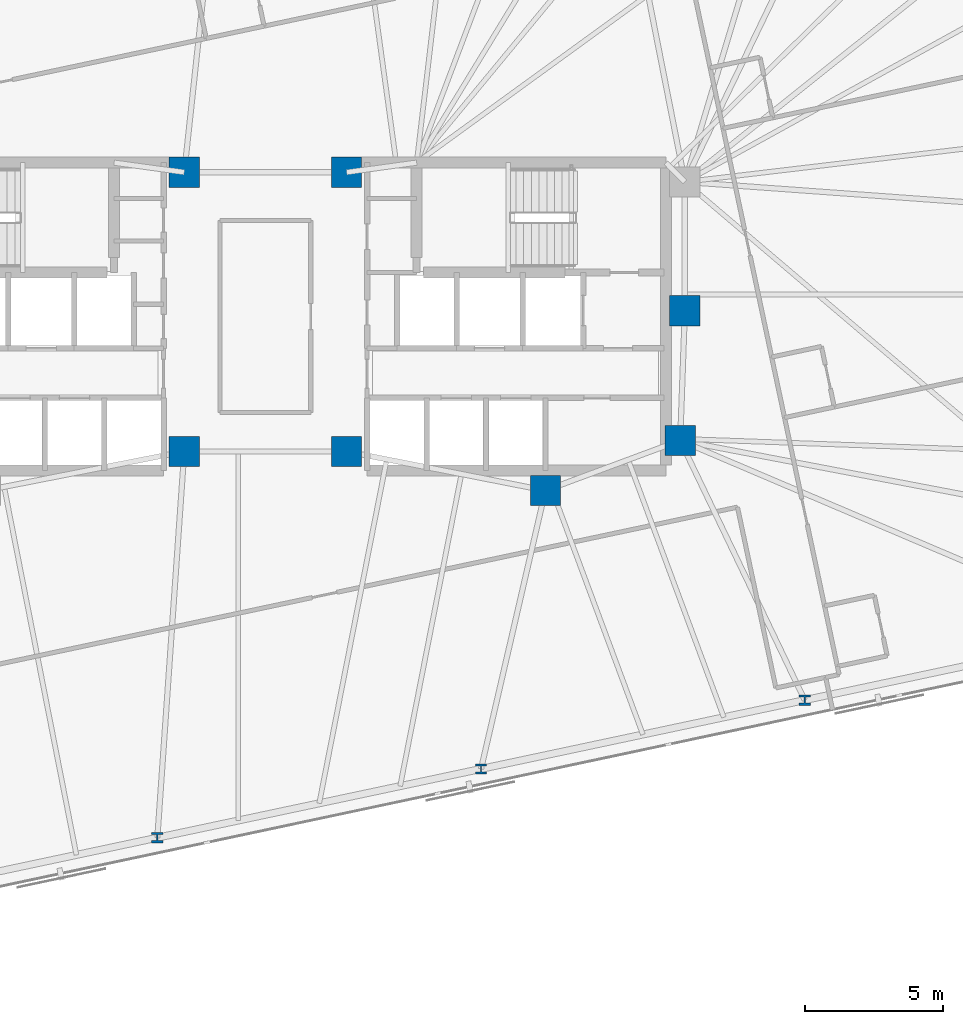
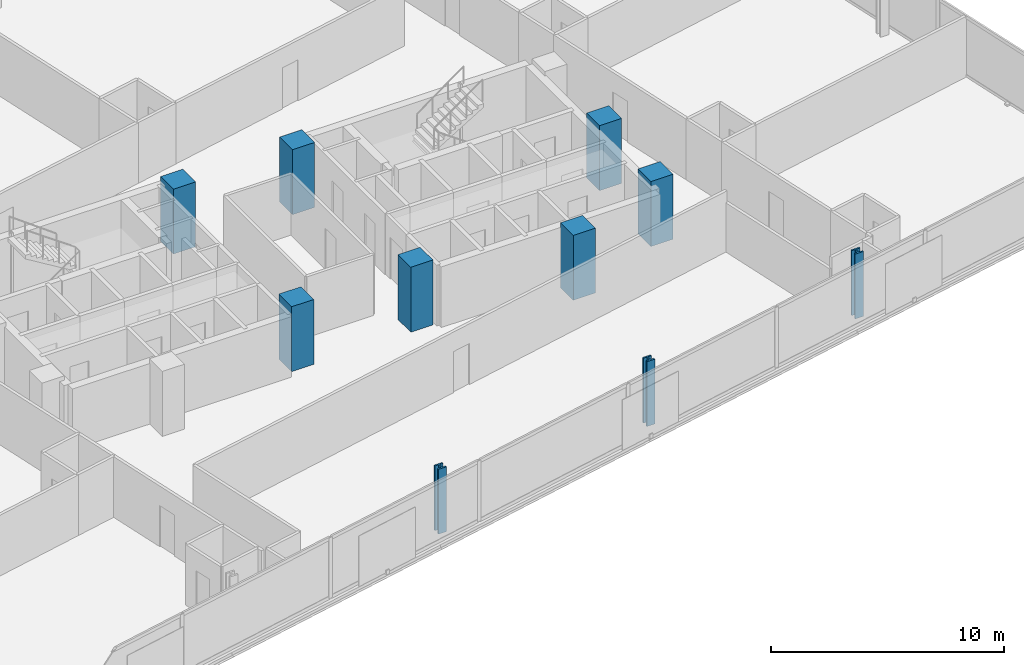
# One storey, part 3 of 19: 10 columns.
"""IFC4 building model written with IfcOpenShell, lengths in metres."""

import ifcopenshell
import ifcopenshell.guid

model = None  # the IFC model being written
_history = None  # IfcOwnerHistory: only IFC2X3 demands one
_inside = {}  # id of a spatial element -> (the spatial element, [elements in it])
_under = {}  # id of a project, library or spatial element -> (it, [spatial elements below it])
_declared = {}  # id of a project -> (the project, [libraries it declares])
_typed = {}  # id of a type object -> (the type object, [elements of that type])
_made_of = {}  # id of a material, layer set ... -> (it, [elements and type objects made of it])


def new_model(schema):
    """Start an empty IFC model of exactly this schema.

    Asked for "IFC4X3", IfcOpenShell would pick the latest addendum, in which some entities
    have other attributes; the version numbers below select the first issue.
    IFC2X3 requires an IfcOwnerHistory on every rooted entity: one is made here for all.
    """
    global model, _history
    if schema == "IFC4X3":
        model = ifcopenshell.file(schema_version=(4, 3, 0, 0))
    else:
        model = ifcopenshell.file(schema=schema)
    _inside.clear()
    _under.clear()
    _declared.clear()
    _typed.clear()
    _made_of.clear()
    _history = None
    if model.schema == "IFC2X3":
        org = make("IfcOrganization", Name="unknown")
        user = make(
            "IfcPersonAndOrganization",
            ThePerson=make("IfcPerson", FamilyName="unknown"),
            TheOrganization=org,
        )
        app = make(
            "IfcApplication",
            ApplicationDeveloper=org,
            Version="unknown",
            ApplicationFullName="unknown",
            ApplicationIdentifier="unknown",
        )
        _history = make(
            "IfcOwnerHistory",
            OwningUser=user,
            OwningApplication=app,
            ChangeAction="ADDED",
            CreationDate=0,
        )
    return model


def make(cls, **values):
    """One entity of the class cls with the attributes given. An attribute that is None is left unset."""
    return model.create_entity(
        cls, **{name: value for name, value in values.items() if value is not None}
    )


def rooted(cls, **values):
    """An entity with a GlobalId (a new one), such as an element, a storey or a relation."""
    return make(cls, GlobalId=ifcopenshell.guid.new(), OwnerHistory=_history, **values)


def si_unit(unit_type, name, prefix=None):
    """IfcSIUnit, for example si_unit("LENGTHUNIT", "METRE", prefix="MILLI")."""
    return make("IfcSIUnit", UnitType=unit_type, Prefix=prefix, Name=name)


def assignment(units):
    """IfcUnitAssignment: the units of a project."""
    return None if units is None else make("IfcUnitAssignment", Units=units)


def point(xyz):
    """IfcCartesianPoint."""
    return None if xyz is None else make("IfcCartesianPoint", Coordinates=xyz)


def direction(xyz):
    """IfcDirection."""
    return None if xyz is None else make("IfcDirection", DirectionRatios=xyz)


def frame(location, z_axis=None, x_axis=None):
    """IfcAxis2Placement3D, a coordinate frame: its origin and axes. An axis left out is left unset."""
    return make(
        "IfcAxis2Placement3D",
        Location=point(location),
        Axis=direction(z_axis),
        RefDirection=direction(x_axis),
    )


def frame_2d(location, x_axis=None):
    """IfcAxis2Placement2D, a coordinate frame in the plane: its origin and x axis."""
    return make(
        "IfcAxis2Placement2D", Location=point(location), RefDirection=direction(x_axis)
    )


def origin():
    """The frame at (0, 0, 0) with its axes left unset."""
    return frame((0.0, 0.0, 0.0))


def origin_2d():
    """The frame at (0, 0) in the plane with its x axis left unset."""
    return frame_2d((0.0, 0.0))


def place(relative_to, where):
    """IfcLocalPlacement: puts the frame where relative to a parent placement (None: the world)."""
    return make(
        "IfcLocalPlacement", PlacementRelTo=relative_to, RelativePlacement=where
    )


def context(
    kind, dimensions, precision=None, world=None, true_north=None, identifier=None
):
    """IfcGeometricRepresentationContext, for example the 3D "Model" context."""
    return make(
        "IfcGeometricRepresentationContext",
        ContextIdentifier=identifier,
        ContextType=kind,
        CoordinateSpaceDimension=dimensions,
        Precision=precision,
        WorldCoordinateSystem=world,
        TrueNorth=true_north,
    )


def subcontext(parent, identifier, kind, view, scale=None):
    """IfcGeometricRepresentationSubContext, for example "Body" below "Model"."""
    return make(
        "IfcGeometricRepresentationSubContext",
        ContextIdentifier=identifier,
        ContextType=kind,
        ParentContext=parent,
        TargetScale=scale,
        TargetView=view,
    )


def project(units=None, contexts=None):
    """IfcProject with its units and contexts."""
    return rooted(
        "IfcProject",
        Name="project",
        RepresentationContexts=contexts,
        UnitsInContext=assignment(units),
    )


def spatial(cls, under=None, at=None, **own):
    """A site, building, storey or space (cls), placed at a placement, below another one or the project."""
    s = rooted(cls, ObjectPlacement=at, **own)
    if under is not None:
        _under.setdefault(under.id(), (under, []))[1].append(s)
    return s


def profile(cls, at=None, kind="AREA", **sizes):
    """A parametric profile (cls). Its sizes go by their IFC names, for example OverallWidth=200.0."""
    return make(cls, ProfileType=kind, Position=at, **sizes)


def rectangle(**sizes):
    """IfcRectangleProfileDef."""
    return profile("IfcRectangleProfileDef", **sizes)


def i_section(**sizes):
    """IfcIShapeProfileDef."""
    return profile("IfcIShapeProfileDef", **sizes)


def extrude(swept, where, along, depth):
    """IfcExtrudedAreaSolid: the profile swept, set in the frame where, extruded along a direction by depth."""
    return make(
        "IfcExtrudedAreaSolid",
        SweptArea=swept,
        Position=where,
        ExtrudedDirection=direction(along),
        Depth=depth,
    )


def shape(context_of_items, identifier, shape_type, items):
    """IfcShapeRepresentation: the items that make up one representation, for example the "Body"."""
    return make(
        "IfcShapeRepresentation",
        ContextOfItems=context_of_items,
        RepresentationIdentifier=identifier,
        RepresentationType=shape_type,
        Items=items,
    )


def material(Name=None, Category=None):
    """IfcMaterial."""
    return make("IfcMaterial", Name=Name, Category=Category)


def material_profile(
    of_material, cross_section, Name=None, Category=None, Priority=None
):
    """IfcMaterialProfile: a cross section and its material."""
    return make(
        "IfcMaterialProfile",
        Name=Name,
        Material=of_material,
        Profile=cross_section,
        Priority=Priority,
        Category=Category,
    )


def profile_set(profiles, Name=None, composite=None):
    """IfcMaterialProfileSet."""
    return make(
        "IfcMaterialProfileSet",
        Name=Name,
        MaterialProfiles=profiles,
        CompositeProfile=composite,
    )


def made_of(thing, what):
    """Note that an element or type object is made of a material, layer set ...; save() writes the relation."""
    if what is not None:
        _made_of.setdefault(what.id(), (what, []))[1].append(thing)
    return thing


def type_object(cls, material=None, **own):
    """A type object (cls), such as IfcWallType, which elements share."""
    return made_of(rooted(cls, **own), material)


def element(
    cls,
    number,
    at=None,
    inside=None,
    cuts=None,
    type_object=None,
    material=None,
    context=None,
    identifier="Body",
    shape_type=None,
    held_by="IfcProductDefinitionShape",
    body=None,
    shapes=None,
    **own,
):
    """One element of the class cls, such as IfcWall. Its Tag is "e" and its number.

    at: its placement. inside: the storey or other place that contains it. cuts: it is an
    opening in that element (IfcRelVoidsElement). A single representation is given by context,
    identifier, shape_type and body (its items); several are given by shapes. held_by: the class
    of the entity that holds the representations. save() writes the other relations.
    """
    e = rooted(cls, Tag="e%d" % number, ObjectPlacement=at, **own)
    if body is not None:
        shapes = [shape(context, identifier, shape_type, body)]
    if shapes is not None:
        e.Representation = make(held_by, Representations=shapes)
    if inside is not None:
        _inside.setdefault(inside.id(), (inside, []))[1].append(e)
    if cuts is not None:
        rooted(
            "IfcRelVoidsElement", RelatingBuildingElement=cuts, RelatedOpeningElement=e
        )
    if type_object is not None:
        _typed.setdefault(type_object.id(), (type_object, []))[1].append(e)
    return made_of(e, material)


def aggregate(whole, parts):
    """IfcRelAggregates: a whole, such as a stair, and the parts it consists of."""
    return rooted("IfcRelAggregates", RelatingObject=whole, RelatedObjects=parts)


def save(model, path):
    """Write the relations noted so far, then the file.

    IfcRelAggregates (storeys below a building ...), IfcRelContainedInSpatialStructure (elements
    in a storey), IfcRelDefinesByType, IfcRelAssociatesMaterial and IfcRelDeclares: one each for
    every whole, place, type object, material and project.
    """
    for whole, parts in _under.values():
        aggregate(whole, parts)
    for where, things in _inside.values():
        rooted(
            "IfcRelContainedInSpatialStructure",
            RelatedElements=things,
            RelatingStructure=where,
        )
    for kind, things in _typed.values():
        rooted("IfcRelDefinesByType", RelatedObjects=things, RelatingType=kind)
    for what, things in _made_of.values():
        rooted("IfcRelAssociatesMaterial", RelatedObjects=things, RelatingMaterial=what)
    for by, libraries in _declared.values():
        rooted("IfcRelDeclares", RelatingContext=by, RelatedDefinitions=libraries)
    model.write(path)


model = new_model("IFC4")

# Units and contexts
model_context = context("Model", 3, precision=1e-05, world=origin(), true_north=direction((0.0, 1.0)))
body_context = subcontext(model_context, "Body", "Model", "MODEL_VIEW")
ifc_project = project(units=[si_unit("LENGTHUNIT", "METRE"), si_unit("AREAUNIT", "SQUARE_METRE"), si_unit("VOLUMEUNIT", "CUBIC_METRE"), si_unit("PLANEANGLEUNIT", "RADIAN"), si_unit("MASSUNIT", "GRAM", prefix="KILO")], contexts=[model_context])

# Site, building, storey
site_placement = place(None, origin())
site = spatial("IfcSite", under=ifc_project, at=site_placement, CompositionType="ELEMENT")
building_placement = place(site_placement, origin())
building = spatial("IfcBuilding", under=site, at=building_placement, Name="Menara Jurai Vektor", CompositionType="ELEMENT")
storey_placement = place(building_placement, frame((0.0, 0.0, 151.39990234375)))
storey = spatial("IfcBuildingStorey", under=building, at=storey_placement, Name="L38", CompositionType="ELEMENT", Elevation=151.39990234375)

# Columns
ifc_material_1 = material(Name="Concrete C50/60", Category="concrete")
ifc_material_profile_1 = material_profile(ifc_material_1, rectangle(XDim=1.10009765625, YDim=1.10009765625, at=origin_2d()), Name="RC 1100x1100")
ifc_profile_set_1 = profile_set([ifc_material_profile_1], Name="Concrete C50/60")
column_type_1 = type_object("IfcColumnType", Name="STR-COL-RC1100", PredefinedType="COLUMN", material=ifc_profile_set_1)
for number, where, z_axis, x_axis, name in (
    (1, (-2.949951171875, -4.89990234375, 0.0), (0.0, 0.0, 1.0), (1.0, 0.0, 0.0), "Core Spine Column CW-SE L38"),
    (2, (-2.949951171875, 5.25, 0.0), (0.0, 0.0, 1.0), (1.0, 0.0, 0.0), "Core Spine Column CW-NE L38"),
    (3, (15.25, 0.219970703125, 0.0), (0.0, 0.0, 1.0), (1.0, 0.0, 0.0), "Core Spine Column CE-EM L38"),
    (4, (15.080078125, -4.5, 0.0), (0.0, 0.0, 1.0), (1.0, 0.0, 0.0), "Core Spine Column CE-SE L38"),
    (5, (10.179931640625, -6.320068359375, 0.0), (0.0, 0.0, 1.0), (1.0, 0.0, 0.0), "Core Spine Column CE-SM L38"),
    (6, (2.949951171875, -4.89990234375, 0.0), (0.0, 0.0, 1.0), (1.0, 0.0, 0.0), "Core Spine Column CE-SW L38"),
    (7, (2.949951171875, 5.25, 0.0), (0.0, 0.0, 1.0), (1.0, 0.0, 0.0), "Core Spine Column CE-NW L38"),
):
    element("IfcColumn", number, at=place(storey_placement, frame(where, z_axis=z_axis, x_axis=x_axis)), inside=storey, type_object=column_type_1, Name=name, PredefinedType="COLUMN", context=body_context, shape_type="SweptSolid", body=[
        extrude(rectangle(XDim=1.10009765625, YDim=1.10009765625, at=origin_2d()), origin(), (0.0, 0.0, 1.0), 3.400146484375),
    ])
ifc_material_2 = material(Name="Steel S460", Category="steel")
ifc_material_profile_2 = material_profile(ifc_material_2, i_section(OverallWidth=0.408935546875, OverallDepth=0.3740234375, WebThickness=0.048095703125, FlangeThickness=0.076904296875, FilletRadius=0.014892578125, at=origin_2d()), Name="HD 400x634")
ifc_profile_set_2 = profile_set([ifc_material_profile_2], Name="Steel S460")
column_type_2 = type_object("IfcColumnType", Name="STR-EXO-BLK3", PredefinedType="COLUMN", material=ifc_profile_set_2)
for number, where, z_axis, x_axis, name in (
    (8, (-3.928466796875, -18.94287109375, 0.0), (0.0, 0.0, 1.0), (1.0, 0.0, 0.0), "Exoskeleton Column BLK3-S3 L38"),
    (9, (7.83984375, -16.44140625, 0.0), (0.0, 0.0, 1.0), (1.0, 0.0, 0.0), "Exoskeleton Column BLK3-S4 L38"),
    (10, (19.608154296875, -13.940185546875, 0.0), (0.0, 0.0, 1.0), (1.0, 0.0, 0.0), "Exoskeleton Column BLK3-S5 L38"),
):
    element("IfcColumn", number, at=place(storey_placement, frame(where, z_axis=z_axis, x_axis=x_axis)), inside=storey, type_object=column_type_2, Name=name, PredefinedType="COLUMN", context=body_context, shape_type="SweptSolid", body=[
        extrude(i_section(OverallWidth=0.408935546875, OverallDepth=0.3740234375, WebThickness=0.048095703125, FlangeThickness=0.076904296875, FilletRadius=0.014892578125, at=origin_2d()), origin(), (0.0, 0.0, 1.0), 3.400146484375),
    ])

save(model, "model.ifc")
